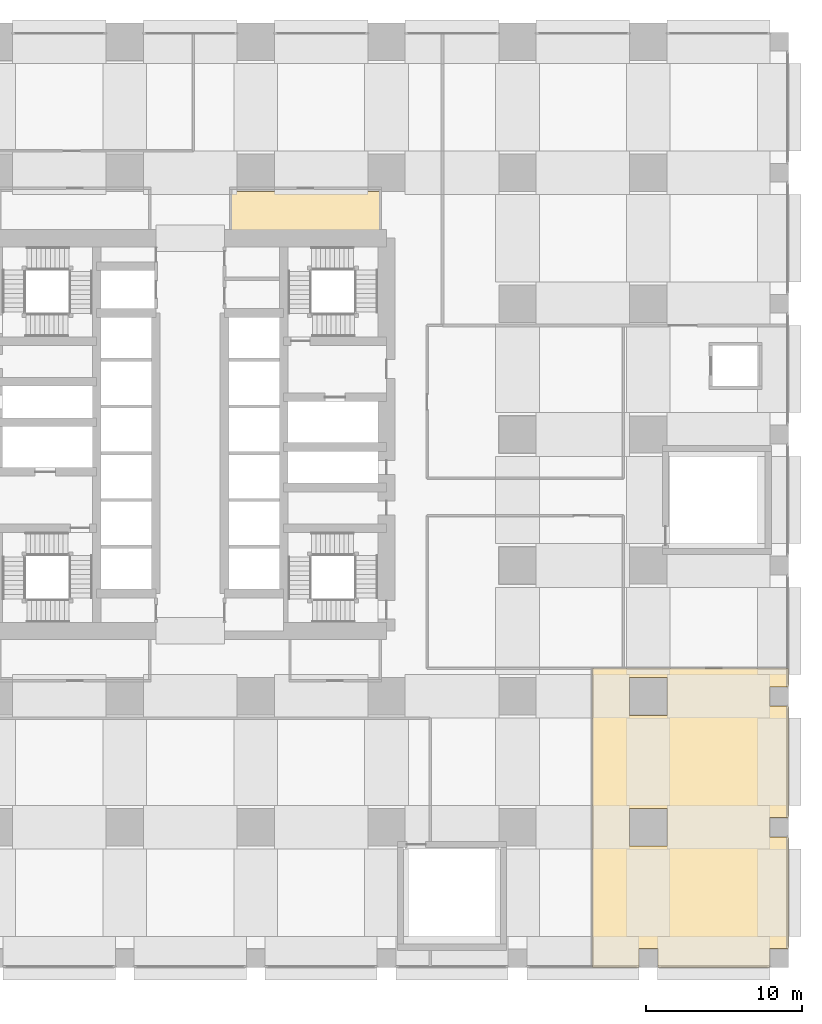
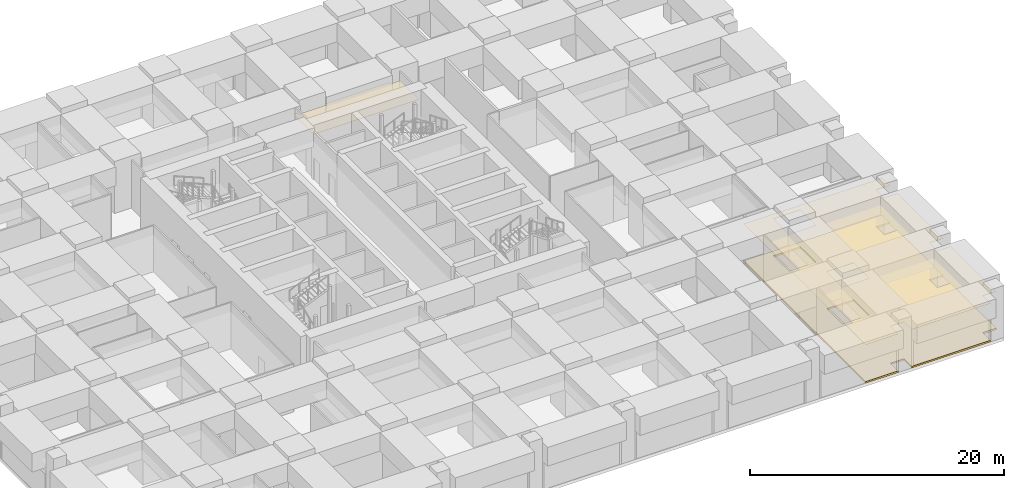
# One storey, part 52 of 52: 3 coverings.
"""IFC4 building model written with IfcOpenShell, lengths in metres."""

import ifcopenshell
import ifcopenshell.guid

model = None  # the IFC model being written
_history = None  # IfcOwnerHistory: only IFC2X3 demands one
_inside = {}  # id of a spatial element -> (the spatial element, [elements in it])
_under = {}  # id of a project, library or spatial element -> (it, [spatial elements below it])
_declared = {}  # id of a project -> (the project, [libraries it declares])
_typed = {}  # id of a type object -> (the type object, [elements of that type])
_made_of = {}  # id of a material, layer set ... -> (it, [elements and type objects made of it])


def new_model(schema):
    """Start an empty IFC model of exactly this schema.

    Asked for "IFC4X3", IfcOpenShell would pick the latest addendum, in which some entities
    have other attributes; the version numbers below select the first issue.
    IFC2X3 requires an IfcOwnerHistory on every rooted entity: one is made here for all.
    """
    global model, _history
    if schema == "IFC4X3":
        model = ifcopenshell.file(schema_version=(4, 3, 0, 0))
    else:
        model = ifcopenshell.file(schema=schema)
    _inside.clear()
    _under.clear()
    _declared.clear()
    _typed.clear()
    _made_of.clear()
    _history = None
    if model.schema == "IFC2X3":
        org = make("IfcOrganization", Name="unknown")
        user = make(
            "IfcPersonAndOrganization",
            ThePerson=make("IfcPerson", FamilyName="unknown"),
            TheOrganization=org,
        )
        app = make(
            "IfcApplication",
            ApplicationDeveloper=org,
            Version="unknown",
            ApplicationFullName="unknown",
            ApplicationIdentifier="unknown",
        )
        _history = make(
            "IfcOwnerHistory",
            OwningUser=user,
            OwningApplication=app,
            ChangeAction="ADDED",
            CreationDate=0,
        )
    return model


def make(cls, **values):
    """One entity of the class cls with the attributes given. An attribute that is None is left unset."""
    return model.create_entity(
        cls, **{name: value for name, value in values.items() if value is not None}
    )


def rooted(cls, **values):
    """An entity with a GlobalId (a new one), such as an element, a storey or a relation."""
    return make(cls, GlobalId=ifcopenshell.guid.new(), OwnerHistory=_history, **values)


def si_unit(unit_type, name, prefix=None):
    """IfcSIUnit, for example si_unit("LENGTHUNIT", "METRE", prefix="MILLI")."""
    return make("IfcSIUnit", UnitType=unit_type, Prefix=prefix, Name=name)


def assignment(units):
    """IfcUnitAssignment: the units of a project."""
    return None if units is None else make("IfcUnitAssignment", Units=units)


def point(xyz):
    """IfcCartesianPoint."""
    return None if xyz is None else make("IfcCartesianPoint", Coordinates=xyz)


def direction(xyz):
    """IfcDirection."""
    return None if xyz is None else make("IfcDirection", DirectionRatios=xyz)


def frame(location, z_axis=None, x_axis=None):
    """IfcAxis2Placement3D, a coordinate frame: its origin and axes. An axis left out is left unset."""
    return make(
        "IfcAxis2Placement3D",
        Location=point(location),
        Axis=direction(z_axis),
        RefDirection=direction(x_axis),
    )


def origin():
    """The frame at (0, 0, 0) with its axes left unset."""
    return frame((0.0, 0.0, 0.0))


def place(relative_to, where):
    """IfcLocalPlacement: puts the frame where relative to a parent placement (None: the world)."""
    return make(
        "IfcLocalPlacement", PlacementRelTo=relative_to, RelativePlacement=where
    )


def context(
    kind, dimensions, precision=None, world=None, true_north=None, identifier=None
):
    """IfcGeometricRepresentationContext, for example the 3D "Model" context."""
    return make(
        "IfcGeometricRepresentationContext",
        ContextIdentifier=identifier,
        ContextType=kind,
        CoordinateSpaceDimension=dimensions,
        Precision=precision,
        WorldCoordinateSystem=world,
        TrueNorth=true_north,
    )


def subcontext(parent, identifier, kind, view, scale=None):
    """IfcGeometricRepresentationSubContext, for example "Body" below "Model"."""
    return make(
        "IfcGeometricRepresentationSubContext",
        ContextIdentifier=identifier,
        ContextType=kind,
        ParentContext=parent,
        TargetScale=scale,
        TargetView=view,
    )


def project(units=None, contexts=None):
    """IfcProject with its units and contexts."""
    return rooted(
        "IfcProject",
        Name="project",
        RepresentationContexts=contexts,
        UnitsInContext=assignment(units),
    )


def spatial(cls, under=None, at=None, **own):
    """A site, building, storey or space (cls), placed at a placement, below another one or the project."""
    s = rooted(cls, ObjectPlacement=at, **own)
    if under is not None:
        _under.setdefault(under.id(), (under, []))[1].append(s)
    return s


def polyline(points):
    """IfcPolyline through the points."""
    return make("IfcPolyline", Points=[point(p) for p in points])


def outline(outer, holes=None, kind="AREA"):
    """IfcArbitraryClosedProfileDef: a profile drawn as a closed curve; with holes, ...WithVoids."""
    if holes is None:
        return make("IfcArbitraryClosedProfileDef", ProfileType=kind, OuterCurve=outer)
    return make(
        "IfcArbitraryProfileDefWithVoids",
        ProfileType=kind,
        OuterCurve=outer,
        InnerCurves=holes,
    )


def extrude(swept, where, along, depth):
    """IfcExtrudedAreaSolid: the profile swept, set in the frame where, extruded along a direction by depth."""
    return make(
        "IfcExtrudedAreaSolid",
        SweptArea=swept,
        Position=where,
        ExtrudedDirection=direction(along),
        Depth=depth,
    )


def shape(context_of_items, identifier, shape_type, items):
    """IfcShapeRepresentation: the items that make up one representation, for example the "Body"."""
    return make(
        "IfcShapeRepresentation",
        ContextOfItems=context_of_items,
        RepresentationIdentifier=identifier,
        RepresentationType=shape_type,
        Items=items,
    )


def material(Name=None, Category=None):
    """IfcMaterial."""
    return make("IfcMaterial", Name=Name, Category=Category)


def layer(
    of_material, thickness, ventilated=None, Name=None, Category=None, Priority=None
):
    """IfcMaterialLayer: one layer of a wall or slab, of a material (None: an air gap)."""
    return make(
        "IfcMaterialLayer",
        Material=of_material,
        LayerThickness=thickness,
        IsVentilated=ventilated,
        Name=Name,
        Category=Category,
        Priority=Priority,
    )


def layer_set(layers, Name=None):
    """IfcMaterialLayerSet."""
    return make("IfcMaterialLayerSet", MaterialLayers=layers, LayerSetName=Name)


def made_of(thing, what):
    """Note that an element or type object is made of a material, layer set ...; save() writes the relation."""
    if what is not None:
        _made_of.setdefault(what.id(), (what, []))[1].append(thing)
    return thing


def type_object(cls, material=None, **own):
    """A type object (cls), such as IfcWallType, which elements share."""
    return made_of(rooted(cls, **own), material)


def element(
    cls,
    number,
    at=None,
    inside=None,
    cuts=None,
    type_object=None,
    material=None,
    context=None,
    identifier="Body",
    shape_type=None,
    held_by="IfcProductDefinitionShape",
    body=None,
    shapes=None,
    **own,
):
    """One element of the class cls, such as IfcWall. Its Tag is "e" and its number.

    at: its placement. inside: the storey or other place that contains it. cuts: it is an
    opening in that element (IfcRelVoidsElement). A single representation is given by context,
    identifier, shape_type and body (its items); several are given by shapes. held_by: the class
    of the entity that holds the representations. save() writes the other relations.
    """
    e = rooted(cls, Tag="e%d" % number, ObjectPlacement=at, **own)
    if body is not None:
        shapes = [shape(context, identifier, shape_type, body)]
    if shapes is not None:
        e.Representation = make(held_by, Representations=shapes)
    if inside is not None:
        _inside.setdefault(inside.id(), (inside, []))[1].append(e)
    if cuts is not None:
        rooted(
            "IfcRelVoidsElement", RelatingBuildingElement=cuts, RelatedOpeningElement=e
        )
    if type_object is not None:
        _typed.setdefault(type_object.id(), (type_object, []))[1].append(e)
    return made_of(e, material)


def aggregate(whole, parts):
    """IfcRelAggregates: a whole, such as a stair, and the parts it consists of."""
    return rooted("IfcRelAggregates", RelatingObject=whole, RelatedObjects=parts)


def save(model, path):
    """Write the relations noted so far, then the file.

    IfcRelAggregates (storeys below a building ...), IfcRelContainedInSpatialStructure (elements
    in a storey), IfcRelDefinesByType, IfcRelAssociatesMaterial and IfcRelDeclares: one each for
    every whole, place, type object, material and project.
    """
    for whole, parts in _under.values():
        aggregate(whole, parts)
    for where, things in _inside.values():
        rooted(
            "IfcRelContainedInSpatialStructure",
            RelatedElements=things,
            RelatingStructure=where,
        )
    for kind, things in _typed.values():
        rooted("IfcRelDefinesByType", RelatedObjects=things, RelatingType=kind)
    for what, things in _made_of.values():
        rooted("IfcRelAssociatesMaterial", RelatedObjects=things, RelatingMaterial=what)
    for by, libraries in _declared.values():
        rooted("IfcRelDeclares", RelatingContext=by, RelatedDefinitions=libraries)
    model.write(path)


model = new_model("IFC4")

# Units and contexts
model_context = context("Model", 3, precision=1e-05, world=origin(), true_north=direction((0.0, 1.0)))
body_context = subcontext(model_context, "Body", "Model", "MODEL_VIEW")
ifc_project = project(units=[si_unit("LENGTHUNIT", "METRE"), si_unit("AREAUNIT", "SQUARE_METRE"), si_unit("VOLUMEUNIT", "CUBIC_METRE"), si_unit("PLANEANGLEUNIT", "RADIAN"), si_unit("MASSUNIT", "GRAM", prefix="KILO")], contexts=[model_context])

# Site, building, storey
site_placement = place(None, origin())
site = spatial("IfcSite", under=ifc_project, at=site_placement, CompositionType="ELEMENT")
building_placement = place(site_placement, origin())
building = spatial("IfcBuilding", under=site, at=building_placement, Name="Rekha Terrace Tower", CompositionType="ELEMENT")
storey_placement = place(building_placement, frame((0.0, 0.0, 20.39990234375)))
storey = spatial("IfcBuildingStorey", under=building, at=storey_placement, Name="L04", CompositionType="ELEMENT", Elevation=20.39990234375)

# Coverings
ifc_material_1 = material(Name="Mineral fibre tile in exposed grid", Category="finish")
ifc_layer_1 = layer(ifc_material_1, 0.02001953125)
ifc_layer_set_1 = layer_set([ifc_layer_1], Name="Mineral fibre tile in exposed grid")
covering_type_1 = type_object("IfcCoveringType", Name="CL1 600x1200 office grid ceiling", PredefinedType="CEILING", material=ifc_layer_set_1)
covering_1_placement = place(storey_placement, frame((0.0, 0.0, 3.68017578125)))
element("IfcCovering", 1, at=covering_1_placement, inside=storey, type_object=covering_type_1, Name="Ceiling L04-06", PredefinedType="CEILING", context=body_context, shape_type="SweptSolid", body=[
    extrude(outline(polyline([(76.199951171875, 18.60009765625), (63.60009765625, 18.60009765625), (63.60009765625, -0.60009765625), (66.5849609375, -0.60009765625), (66.5849609375, 0.614990234375), (67.81494140625, 0.614990234375), (67.81494140625, -0.60009765625), (74.985107421875, -0.60009765625), (74.985107421875, 0.614990234375), (76.199951171875, 0.614990234375), (76.199951171875, 7.784912109375), (74.985107421875, 7.784912109375), (74.985107421875, 9.014892578125), (76.199951171875, 9.014892578125), (76.199951171875, 16.18505859375), (74.985107421875, 16.18505859375), (74.985107421875, 17.4150390625), (76.199951171875, 17.4150390625), (76.199951171875, 18.60009765625)]), holes=[polyline([(65.985107421875, 7.18505859375), (65.985107421875, 9.614990234375), (68.4150390625, 9.614990234375), (68.4150390625, 7.18505859375), (65.985107421875, 7.18505859375)]), polyline([(65.985107421875, 15.5849609375), (65.985107421875, 18.014892578125), (68.4150390625, 18.014892578125), (68.4150390625, 15.5849609375), (65.985107421875, 15.5849609375)])]), origin(), (0.0, 0.0, 1.0), 0.02001953125),
])
ifc_material_2 = material(Name="Fibre cement board", Category="finish")
ifc_layer_2 = layer(ifc_material_2, 0.014892578125)
ifc_layer_set_2 = layer_set([ifc_layer_2], Name="Fibre cement board")
covering_type_2 = type_object("IfcCoveringType", Name="CL2 moisture-resistant board ceiling", PredefinedType="CEILING", material=ifc_layer_set_2)
covering_2_placement = place(storey_placement, frame((0.0, 0.0, 3.68505859375)))
element("IfcCovering", 2, at=covering_2_placement, inside=storey, type_object=covering_type_2, Name="Ceiling L04-WCF", PredefinedType="CEILING", context=body_context, shape_type="SweptSolid", body=[
    extrude(outline(polyline([(40.784912109375, 49.39990234375), (40.39990234375, 49.39990234375), (40.39990234375, 46.199951171875), (50.0, 46.199951171875), (50.0, 49.18505859375), (49.18505859375, 49.18505859375), (49.18505859375, 49.39990234375), (43.215087890625, 49.39990234375), (43.215087890625, 49.18505859375), (40.784912109375, 49.18505859375), (40.784912109375, 49.39990234375)])), origin(), (0.0, 0.0, 1.0), 0.01513671875),
])
ifc_material_3 = material(Name="Calcium sulphate panels on steel pedestals", Category="steel")
ifc_layer_3 = layer(ifc_material_3, 0.14990234375)
ifc_layer_set_3 = layer_set([ifc_layer_3], Name="Calcium sulphate panels on steel pedestals")
covering_type_3 = type_object("IfcCoveringType", Name="RF1 150 raised access floor", PredefinedType="FLOORING", material=ifc_layer_set_3)
covering_3_placement = place(storey_placement, origin())
element("IfcCovering", 3, at=covering_3_placement, inside=storey, type_object=covering_type_3, Name="Raised floor L04-06", PredefinedType="FLOORING", context=body_context, shape_type="SweptSolid", body=[
    extrude(outline(polyline([(76.199951171875, 18.60009765625), (63.60009765625, 18.60009765625), (63.60009765625, -0.60009765625), (66.5849609375, -0.60009765625), (66.5849609375, 0.614990234375), (67.81494140625, 0.614990234375), (67.81494140625, -0.60009765625), (74.985107421875, -0.60009765625), (74.985107421875, 0.614990234375), (76.199951171875, 0.614990234375), (76.199951171875, 7.784912109375), (74.985107421875, 7.784912109375), (74.985107421875, 9.014892578125), (76.199951171875, 9.014892578125), (76.199951171875, 16.18505859375), (74.985107421875, 16.18505859375), (74.985107421875, 17.4150390625), (76.199951171875, 17.4150390625), (76.199951171875, 18.60009765625)]), holes=[polyline([(65.985107421875, 7.18505859375), (65.985107421875, 9.614990234375), (68.4150390625, 9.614990234375), (68.4150390625, 7.18505859375), (65.985107421875, 7.18505859375)]), polyline([(65.985107421875, 15.5849609375), (65.985107421875, 18.014892578125), (68.4150390625, 18.014892578125), (68.4150390625, 15.5849609375), (65.985107421875, 15.5849609375)])]), origin(), (0.0, 0.0, 1.0), 0.150146484375),
])

save(model, "model.ifc")
